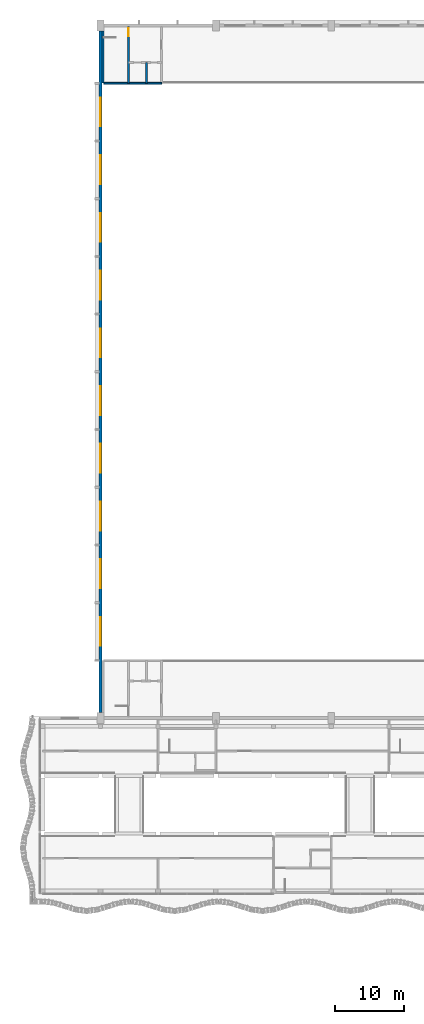
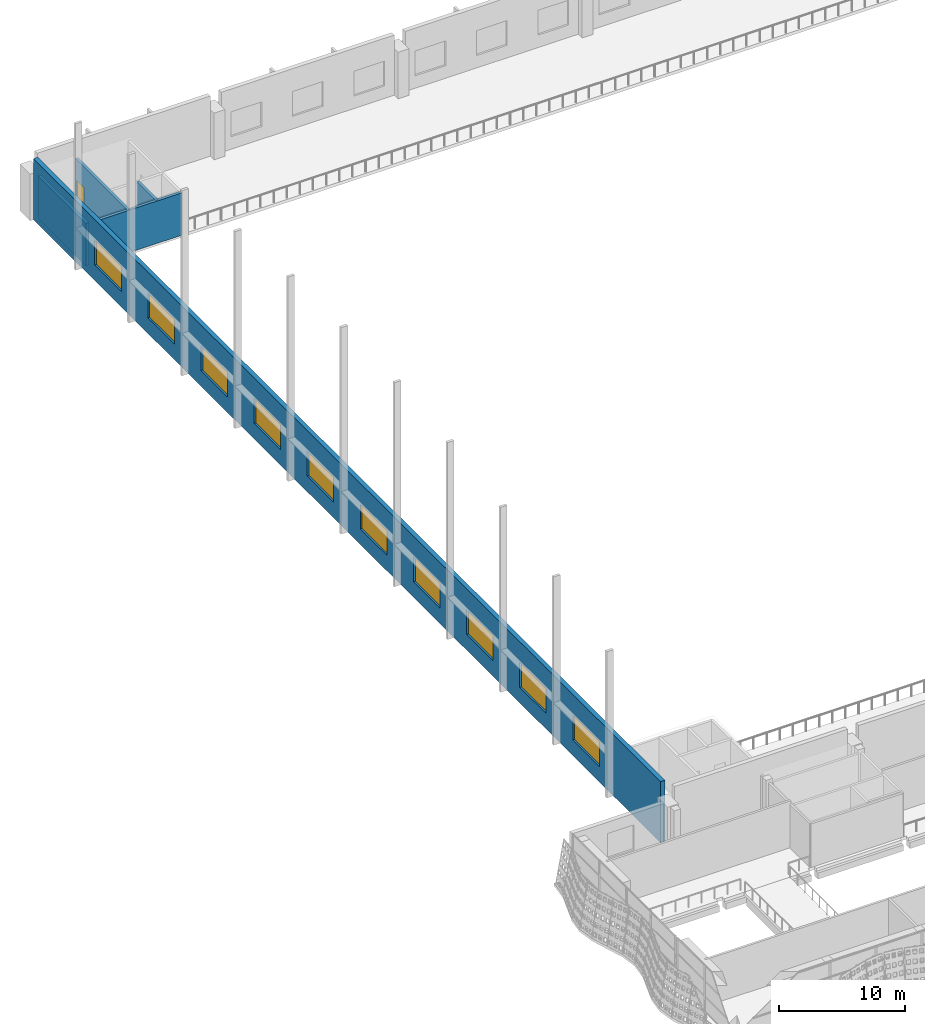
# One storey, part 91 of 162: 10 windows, 5 walls, 1 door, 11 openings.
"""IFC4 building model written with IfcOpenShell, lengths in metres."""

import ifcopenshell
import ifcopenshell.guid

model = None  # the IFC model being written
_history = None  # IfcOwnerHistory: only IFC2X3 demands one
_inside = {}  # id of a spatial element -> (the spatial element, [elements in it])
_under = {}  # id of a project, library or spatial element -> (it, [spatial elements below it])
_declared = {}  # id of a project -> (the project, [libraries it declares])
_typed = {}  # id of a type object -> (the type object, [elements of that type])
_made_of = {}  # id of a material, layer set ... -> (it, [elements and type objects made of it])


def new_model(schema):
    """Start an empty IFC model of exactly this schema.

    Asked for "IFC4X3", IfcOpenShell would pick the latest addendum, in which some entities
    have other attributes; the version numbers below select the first issue.
    IFC2X3 requires an IfcOwnerHistory on every rooted entity: one is made here for all.
    """
    global model, _history
    if schema == "IFC4X3":
        model = ifcopenshell.file(schema_version=(4, 3, 0, 0))
    else:
        model = ifcopenshell.file(schema=schema)
    _inside.clear()
    _under.clear()
    _declared.clear()
    _typed.clear()
    _made_of.clear()
    _history = None
    if model.schema == "IFC2X3":
        org = make("IfcOrganization", Name="unknown")
        user = make(
            "IfcPersonAndOrganization",
            ThePerson=make("IfcPerson", FamilyName="unknown"),
            TheOrganization=org,
        )
        app = make(
            "IfcApplication",
            ApplicationDeveloper=org,
            Version="unknown",
            ApplicationFullName="unknown",
            ApplicationIdentifier="unknown",
        )
        _history = make(
            "IfcOwnerHistory",
            OwningUser=user,
            OwningApplication=app,
            ChangeAction="ADDED",
            CreationDate=0,
        )
    return model


def make(cls, **values):
    """One entity of the class cls with the attributes given. An attribute that is None is left unset."""
    return model.create_entity(
        cls, **{name: value for name, value in values.items() if value is not None}
    )


def rooted(cls, **values):
    """An entity with a GlobalId (a new one), such as an element, a storey or a relation."""
    return make(cls, GlobalId=ifcopenshell.guid.new(), OwnerHistory=_history, **values)


def si_unit(unit_type, name, prefix=None):
    """IfcSIUnit, for example si_unit("LENGTHUNIT", "METRE", prefix="MILLI")."""
    return make("IfcSIUnit", UnitType=unit_type, Prefix=prefix, Name=name)


def assignment(units):
    """IfcUnitAssignment: the units of a project."""
    return None if units is None else make("IfcUnitAssignment", Units=units)


def point(xyz):
    """IfcCartesianPoint."""
    return None if xyz is None else make("IfcCartesianPoint", Coordinates=xyz)


def direction(xyz):
    """IfcDirection."""
    return None if xyz is None else make("IfcDirection", DirectionRatios=xyz)


def frame(location, z_axis=None, x_axis=None):
    """IfcAxis2Placement3D, a coordinate frame: its origin and axes. An axis left out is left unset."""
    return make(
        "IfcAxis2Placement3D",
        Location=point(location),
        Axis=direction(z_axis),
        RefDirection=direction(x_axis),
    )


def frame_2d(location, x_axis=None):
    """IfcAxis2Placement2D, a coordinate frame in the plane: its origin and x axis."""
    return make(
        "IfcAxis2Placement2D", Location=point(location), RefDirection=direction(x_axis)
    )


def origin():
    """The frame at (0, 0, 0) with its axes left unset."""
    return frame((0.0, 0.0, 0.0))


def place(relative_to, where):
    """IfcLocalPlacement: puts the frame where relative to a parent placement (None: the world)."""
    return make(
        "IfcLocalPlacement", PlacementRelTo=relative_to, RelativePlacement=where
    )


def context(
    kind, dimensions, precision=None, world=None, true_north=None, identifier=None
):
    """IfcGeometricRepresentationContext, for example the 3D "Model" context."""
    return make(
        "IfcGeometricRepresentationContext",
        ContextIdentifier=identifier,
        ContextType=kind,
        CoordinateSpaceDimension=dimensions,
        Precision=precision,
        WorldCoordinateSystem=world,
        TrueNorth=true_north,
    )


def subcontext(parent, identifier, kind, view, scale=None):
    """IfcGeometricRepresentationSubContext, for example "Body" below "Model"."""
    return make(
        "IfcGeometricRepresentationSubContext",
        ContextIdentifier=identifier,
        ContextType=kind,
        ParentContext=parent,
        TargetScale=scale,
        TargetView=view,
    )


def project(units=None, contexts=None):
    """IfcProject with its units and contexts."""
    return rooted(
        "IfcProject",
        Name="project",
        RepresentationContexts=contexts,
        UnitsInContext=assignment(units),
    )


def spatial(cls, under=None, at=None, **own):
    """A site, building, storey or space (cls), placed at a placement, below another one or the project."""
    s = rooted(cls, ObjectPlacement=at, **own)
    if under is not None:
        _under.setdefault(under.id(), (under, []))[1].append(s)
    return s


def profile(cls, at=None, kind="AREA", **sizes):
    """A parametric profile (cls). Its sizes go by their IFC names, for example OverallWidth=200.0."""
    return make(cls, ProfileType=kind, Position=at, **sizes)


def rectangle(**sizes):
    """IfcRectangleProfileDef."""
    return profile("IfcRectangleProfileDef", **sizes)


def extrude(swept, where, along, depth):
    """IfcExtrudedAreaSolid: the profile swept, set in the frame where, extruded along a direction by depth."""
    return make(
        "IfcExtrudedAreaSolid",
        SweptArea=swept,
        Position=where,
        ExtrudedDirection=direction(along),
        Depth=depth,
    )


def shape(context_of_items, identifier, shape_type, items):
    """IfcShapeRepresentation: the items that make up one representation, for example the "Body"."""
    return make(
        "IfcShapeRepresentation",
        ContextOfItems=context_of_items,
        RepresentationIdentifier=identifier,
        RepresentationType=shape_type,
        Items=items,
    )


def material(Name=None, Category=None):
    """IfcMaterial."""
    return make("IfcMaterial", Name=Name, Category=Category)


def layer(
    of_material, thickness, ventilated=None, Name=None, Category=None, Priority=None
):
    """IfcMaterialLayer: one layer of a wall or slab, of a material (None: an air gap)."""
    return make(
        "IfcMaterialLayer",
        Material=of_material,
        LayerThickness=thickness,
        IsVentilated=ventilated,
        Name=Name,
        Category=Category,
        Priority=Priority,
    )


def layer_set(layers, Name=None):
    """IfcMaterialLayerSet."""
    return make("IfcMaterialLayerSet", MaterialLayers=layers, LayerSetName=Name)


def made_of(thing, what):
    """Note that an element or type object is made of a material, layer set ...; save() writes the relation."""
    if what is not None:
        _made_of.setdefault(what.id(), (what, []))[1].append(thing)
    return thing


def type_object(cls, material=None, **own):
    """A type object (cls), such as IfcWallType, which elements share."""
    return made_of(rooted(cls, **own), material)


def element(
    cls,
    number,
    at=None,
    inside=None,
    cuts=None,
    type_object=None,
    material=None,
    context=None,
    identifier="Body",
    shape_type=None,
    held_by="IfcProductDefinitionShape",
    body=None,
    shapes=None,
    **own,
):
    """One element of the class cls, such as IfcWall. Its Tag is "e" and its number.

    at: its placement. inside: the storey or other place that contains it. cuts: it is an
    opening in that element (IfcRelVoidsElement). A single representation is given by context,
    identifier, shape_type and body (its items); several are given by shapes. held_by: the class
    of the entity that holds the representations. save() writes the other relations.
    """
    e = rooted(cls, Tag="e%d" % number, ObjectPlacement=at, **own)
    if body is not None:
        shapes = [shape(context, identifier, shape_type, body)]
    if shapes is not None:
        e.Representation = make(held_by, Representations=shapes)
    if inside is not None:
        _inside.setdefault(inside.id(), (inside, []))[1].append(e)
    if cuts is not None:
        rooted(
            "IfcRelVoidsElement", RelatingBuildingElement=cuts, RelatedOpeningElement=e
        )
    if type_object is not None:
        _typed.setdefault(type_object.id(), (type_object, []))[1].append(e)
    return made_of(e, material)


def fill(opening, filler):
    """IfcRelFillsElement: the door or window that sits in an opening."""
    return rooted(
        "IfcRelFillsElement",
        RelatingOpeningElement=opening,
        RelatedBuildingElement=filler,
    )


def aggregate(whole, parts):
    """IfcRelAggregates: a whole, such as a stair, and the parts it consists of."""
    return rooted("IfcRelAggregates", RelatingObject=whole, RelatedObjects=parts)


def save(model, path):
    """Write the relations noted so far, then the file.

    IfcRelAggregates (storeys below a building ...), IfcRelContainedInSpatialStructure (elements
    in a storey), IfcRelDefinesByType, IfcRelAssociatesMaterial and IfcRelDeclares: one each for
    every whole, place, type object, material and project.
    """
    for whole, parts in _under.values():
        aggregate(whole, parts)
    for where, things in _inside.values():
        rooted(
            "IfcRelContainedInSpatialStructure",
            RelatedElements=things,
            RelatingStructure=where,
        )
    for kind, things in _typed.values():
        rooted("IfcRelDefinesByType", RelatedObjects=things, RelatingType=kind)
    for what, things in _made_of.values():
        rooted("IfcRelAssociatesMaterial", RelatedObjects=things, RelatingMaterial=what)
    for by, libraries in _declared.values():
        rooted("IfcRelDeclares", RelatingContext=by, RelatedDefinitions=libraries)
    model.write(path)


model = new_model("IFC4")

# Units and contexts
model_context = context("Model", 3, precision=1e-05, world=origin(), true_north=direction((0.0, 1.0)))
body_context = subcontext(model_context, "Body", "Model", "MODEL_VIEW")
ifc_project = project(units=[si_unit("LENGTHUNIT", "METRE"), si_unit("AREAUNIT", "SQUARE_METRE"), si_unit("VOLUMEUNIT", "CUBIC_METRE"), si_unit("PLANEANGLEUNIT", "RADIAN"), si_unit("MASSUNIT", "GRAM", prefix="KILO")], contexts=[model_context])

# Site, building, storey
site_placement = place(None, origin())
site = spatial("IfcSite", under=ifc_project, at=site_placement, CompositionType="ELEMENT")
building_placement = place(site_placement, origin())
building = spatial("IfcBuilding", under=site, at=building_placement, Name="Rain Tree Exposition and Congress Centre", CompositionType="ELEMENT")
storey_placement = place(building_placement, frame((0.0, 0.0, 6.0)))
storey = spatial("IfcBuildingStorey", under=building, at=storey_placement, Name="L01", CompositionType="ELEMENT", Elevation=6.0)

# Wall
ifc_material_1 = material(Name="Concrete C40/50", Category="concrete")
ifc_layer_1 = layer(ifc_material_1, 0.300048828125)
ifc_layer_set_1 = layer_set([ifc_layer_1], Name="Concrete C40/50")
wall_type_1 = type_object("IfcWallType", Name="Core gable pier wall 300", PredefinedType="SHEAR", material=ifc_layer_set_1)
wall_1_placement = place(storey_placement, frame((8.75, 200.800048828125, 0.0), z_axis=(0.0, 0.0, 1.0), x_axis=(0.0, -1.0, 0.0)))
element("IfcWall", 1, at=wall_1_placement, inside=storey, type_object=wall_type_1, Name="Gable pier wall 3", PredefinedType="SHEAR", context=body_context, shape_type="SweptSolid", body=[
    extrude(rectangle(XDim=7.60009765625, YDim=0.300048828125, at=frame_2d((3.800048828125, 0.0))), origin(), (0.0, 0.0, 1.0), 4.10009765625),
])

# Wall, opening, door
ifc_material_2 = material(Name="Concrete C40/50", Category="concrete")
ifc_layer_2 = layer(ifc_material_2, 0.25)
ifc_layer_set_2 = layer_set([ifc_layer_2], Name="Concrete C40/50")
wall_type_2 = type_object("IfcWallType", Name="Core wall 250", PredefinedType="SHEAR", material=ifc_layer_set_2)
wall_2_placement = place(storey_placement, frame((12.5, 201.39990234375, 0.0), z_axis=(0.0, 0.0, 1.0), x_axis=(0.0, -1.0, 0.0)))
wall_2 = element("IfcWall", 2, at=wall_2_placement, inside=storey, type_object=wall_type_2, Name="Stair wall 3", PredefinedType="SHEAR", context=body_context, shape_type="SweptSolid", body=[
    extrude(rectangle(XDim=8.199951171875, YDim=0.25, at=frame_2d((4.10009765625, 0.0))), origin(), (0.0, 0.0, 1.0), 4.10009765625),
])
opening_1_placement = place(wall_2_placement, frame((0.199951171875, 0.0, 0.0)))
opening_1 = element("IfcOpeningElement", 3, at=opening_1_placement, cuts=wall_2, Name="Opening DH201", PredefinedType="OPENING", context=body_context, shape_type="SweptSolid", body=[
    extrude(rectangle(XDim=1.199951171875, YDim=2.10009765625, at=frame_2d((0.60009765625, 1.050048828125))), frame((0.0, 0.125, 0.0), z_axis=(0.0, -1.0, 0.0), x_axis=(1.0, 0.0, 0.0)), (0.0, 0.0, 1.0), 0.25),
])
ifc_material_3 = material(Name="Painted steel fire door", Category="steel")
door_type = type_object("IfcDoorType", Name="Stair fire door 1200x2100", OperationType="NOTDEFINED", PredefinedType="DOOR", material=ifc_material_3)
door_placement = place(opening_1_placement, origin())
door = element("IfcDoor", 4, at=door_placement, inside=storey, type_object=door_type, Name="Door DH201", OperationType="SINGLE_SWING_LEFT", OverallHeight=2.10009765625, OverallWidth=1.199951171875, PredefinedType="DOOR", context=body_context, shape_type="SweptSolid", body=[
    extrude(rectangle(XDim=1.199951171875, YDim=2.10009765625, at=frame_2d((0.60009765625, 1.050048828125))), frame((0.0, 0.02490234375, 0.0), z_axis=(0.0, -1.0, 0.0), x_axis=(1.0, 0.0, 0.0)), (0.0, 0.0, 1.0), 0.050048828125),
])
fill(opening_1, door)

# Walls
wall_3_placement = place(storey_placement, frame((8.89990234375, 193.199951171875, 0.0), z_axis=(0.0, 0.0, 1.0), x_axis=(1.0, 0.0, 0.0)))
element("IfcWall", 5, at=wall_3_placement, inside=storey, type_object=wall_type_2, Name="Core north wall 3", PredefinedType="SHEAR", context=body_context, shape_type="SweptSolid", body=[
    extrude(rectangle(XDim=8.400146484375, YDim=0.25, at=frame_2d((4.2001953125, 0.0))), origin(), (0.0, 0.0, 1.0), 4.10009765625),
])
wall_4_placement = place(storey_placement, frame((15.10009765625, 196.199951171875, 0.0), z_axis=(0.0, 0.0, 1.0), x_axis=(0.0, -1.0, 0.0)))
element("IfcWall", 6, at=wall_4_placement, inside=storey, type_object=wall_type_2, Name="Lift shaft wall 3", PredefinedType="SHEAR", context=body_context, shape_type="SweptSolid", body=[
    extrude(rectangle(XDim=3.0, YDim=0.25, at=frame_2d((1.5, 0.0))), origin(), (0.0, 0.0, 1.0), 4.10009765625),
])

# Wall, openings, windows
ifc_material_4 = material(Name="Precast concrete C50/60", Category="concrete")
ifc_layer_3 = layer(ifc_material_4, 0.39990234375)
ifc_layer_set_3 = layer_set([ifc_layer_3], Name="Precast concrete C50/60")
wall_type_3 = type_object("IfcWallType", Name="Hall gable precast wall 400", PredefinedType="SHEAR", material=ifc_layer_set_3)
wall_5_placement = place(storey_placement, frame((8.39990234375, 101.60009765625, 0.0), z_axis=(0.0, 0.0, 1.0), x_axis=(0.0, 1.0, 0.0)))
wall_5 = element("IfcWall", 7, at=wall_5_placement, inside=storey, type_object=wall_type_3, Name="Gable wall W", PredefinedType="SHEAR", context=body_context, shape_type="SweptSolid", body=[
    extrude(rectangle(XDim=99.199951171875, YDim=0.39990234375, at=frame_2d((49.60009765625, 0.0))), origin(), (0.0, 0.0, 1.0), 5.89990234375),
])
opening_2_placement = place(wall_5_placement, frame((9.699951171875, 0.0, 1.5)))
opening_2 = element("IfcOpeningElement", 8, at=opening_2_placement, cuts=wall_5, Name="Opening WH020", PredefinedType="OPENING", context=body_context, shape_type="SweptSolid", body=[
    extrude(rectangle(XDim=4.199951171875, YDim=2.39990234375, at=frame_2d((2.10009765625, 1.199951171875))), frame((0.0, 0.199951171875, 0.0), z_axis=(0.0, -1.0, 0.0), x_axis=(1.0, 0.0, 0.0)), (0.0, 0.0, 1.0), 0.39990234375),
])
opening_3_placement = place(wall_5_placement, frame((18.10009765625, 0.0, 1.5)))
opening_3 = element("IfcOpeningElement", 9, at=opening_3_placement, cuts=wall_5, Name="Opening WH021", PredefinedType="OPENING", context=body_context, shape_type="SweptSolid", body=[
    extrude(rectangle(XDim=4.199951171875, YDim=2.39990234375, at=frame_2d((2.10009765625, 1.199951171875))), frame((0.0, 0.199951171875, 0.0), z_axis=(0.0, -1.0, 0.0), x_axis=(1.0, 0.0, 0.0)), (0.0, 0.0, 1.0), 0.39990234375),
])
opening_4_placement = place(wall_5_placement, frame((26.5, 0.0, 1.5)))
opening_4 = element("IfcOpeningElement", 10, at=opening_4_placement, cuts=wall_5, Name="Opening WH022", PredefinedType="OPENING", context=body_context, shape_type="SweptSolid", body=[
    extrude(rectangle(XDim=4.199951171875, YDim=2.39990234375, at=frame_2d((2.10009765625, 1.199951171875))), frame((0.0, 0.199951171875, 0.0), z_axis=(0.0, -1.0, 0.0), x_axis=(1.0, 0.0, 0.0)), (0.0, 0.0, 1.0), 0.39990234375),
])
opening_5_placement = place(wall_5_placement, frame((34.89990234375, 0.0, 1.5)))
opening_5 = element("IfcOpeningElement", 11, at=opening_5_placement, cuts=wall_5, Name="Opening WH023", PredefinedType="OPENING", context=body_context, shape_type="SweptSolid", body=[
    extrude(rectangle(XDim=4.199951171875, YDim=2.39990234375, at=frame_2d((2.10009765625, 1.199951171875))), frame((0.0, 0.199951171875, 0.0), z_axis=(0.0, -1.0, 0.0), x_axis=(1.0, 0.0, 0.0)), (0.0, 0.0, 1.0), 0.39990234375),
])
opening_6_placement = place(wall_5_placement, frame((43.300048828125, 0.0, 1.5)))
opening_6 = element("IfcOpeningElement", 12, at=opening_6_placement, cuts=wall_5, Name="Opening WH024", PredefinedType="OPENING", context=body_context, shape_type="SweptSolid", body=[
    extrude(rectangle(XDim=4.199951171875, YDim=2.39990234375, at=frame_2d((2.10009765625, 1.199951171875))), frame((0.0, 0.199951171875, 0.0), z_axis=(0.0, -1.0, 0.0), x_axis=(1.0, 0.0, 0.0)), (0.0, 0.0, 1.0), 0.39990234375),
])
opening_7_placement = place(wall_5_placement, frame((51.699951171875, 0.0, 1.5)))
opening_7 = element("IfcOpeningElement", 13, at=opening_7_placement, cuts=wall_5, Name="Opening WH025", PredefinedType="OPENING", context=body_context, shape_type="SweptSolid", body=[
    extrude(rectangle(XDim=4.199951171875, YDim=2.39990234375, at=frame_2d((2.10009765625, 1.199951171875))), frame((0.0, 0.199951171875, 0.0), z_axis=(0.0, -1.0, 0.0), x_axis=(1.0, 0.0, 0.0)), (0.0, 0.0, 1.0), 0.39990234375),
])
opening_8_placement = place(wall_5_placement, frame((60.10009765625, 0.0, 1.5)))
opening_8 = element("IfcOpeningElement", 14, at=opening_8_placement, cuts=wall_5, Name="Opening WH026", PredefinedType="OPENING", context=body_context, shape_type="SweptSolid", body=[
    extrude(rectangle(XDim=4.199951171875, YDim=2.39990234375, at=frame_2d((2.10009765625, 1.199951171875))), frame((0.0, 0.199951171875, 0.0), z_axis=(0.0, -1.0, 0.0), x_axis=(1.0, 0.0, 0.0)), (0.0, 0.0, 1.0), 0.39990234375),
])
opening_9_placement = place(wall_5_placement, frame((68.5, 0.0, 1.5)))
opening_9 = element("IfcOpeningElement", 15, at=opening_9_placement, cuts=wall_5, Name="Opening WH027", PredefinedType="OPENING", context=body_context, shape_type="SweptSolid", body=[
    extrude(rectangle(XDim=4.199951171875, YDim=2.39990234375, at=frame_2d((2.10009765625, 1.199951171875))), frame((0.0, 0.199951171875, 0.0), z_axis=(0.0, -1.0, 0.0), x_axis=(1.0, 0.0, 0.0)), (0.0, 0.0, 1.0), 0.39990234375),
])
opening_10_placement = place(wall_5_placement, frame((76.89990234375, 0.0, 1.5)))
opening_10 = element("IfcOpeningElement", 16, at=opening_10_placement, cuts=wall_5, Name="Opening WH028", PredefinedType="OPENING", context=body_context, shape_type="SweptSolid", body=[
    extrude(rectangle(XDim=4.199951171875, YDim=2.39990234375, at=frame_2d((2.10009765625, 1.199951171875))), frame((0.0, 0.199951171875, 0.0), z_axis=(0.0, -1.0, 0.0), x_axis=(1.0, 0.0, 0.0)), (0.0, 0.0, 1.0), 0.39990234375),
])
opening_11_placement = place(wall_5_placement, frame((85.300048828125, 0.0, 1.5)))
opening_11 = element("IfcOpeningElement", 17, at=opening_11_placement, cuts=wall_5, Name="Opening WH029", PredefinedType="OPENING", context=body_context, shape_type="SweptSolid", body=[
    extrude(rectangle(XDim=4.199951171875, YDim=2.39990234375, at=frame_2d((2.10009765625, 1.199951171875))), frame((0.0, 0.199951171875, 0.0), z_axis=(0.0, -1.0, 0.0), x_axis=(1.0, 0.0, 0.0)), (0.0, 0.0, 1.0), 0.39990234375),
])
ifc_material_5 = material(Name="Aluminium framed glazing", Category="aluminium")
window_type = type_object("IfcWindowType", Name="Hall gable window 4200x2400", PartitioningType="SINGLE_PANEL", PredefinedType="WINDOW", material=ifc_material_5)
window_1_placement = place(opening_2_placement, origin())
window_1 = element("IfcWindow", 18, at=window_1_placement, inside=storey, type_object=window_type, Name="Window WH020", OverallHeight=2.39990234375, OverallWidth=4.199951171875, PartitioningType="SINGLE_PANEL", PredefinedType="WINDOW", context=body_context, shape_type="SweptSolid", body=[
    extrude(rectangle(XDim=4.199951171875, YDim=2.39990234375, at=frame_2d((2.10009765625, 1.199951171875))), frame((0.0, 0.030029296875, 0.0), z_axis=(0.0, -1.0, 0.0), x_axis=(1.0, 0.0, 0.0)), (0.0, 0.0, 1.0), 0.06005859375),
])
fill(opening_2, window_1)
window_2_placement = place(opening_3_placement, origin())
window_2 = element("IfcWindow", 19, at=window_2_placement, inside=storey, type_object=window_type, Name="Window WH021", OverallHeight=2.39990234375, OverallWidth=4.199951171875, PartitioningType="SINGLE_PANEL", PredefinedType="WINDOW", context=body_context, shape_type="SweptSolid", body=[
    extrude(rectangle(XDim=4.199951171875, YDim=2.39990234375, at=frame_2d((2.10009765625, 1.199951171875))), frame((0.0, 0.030029296875, 0.0), z_axis=(0.0, -1.0, 0.0), x_axis=(1.0, 0.0, 0.0)), (0.0, 0.0, 1.0), 0.06005859375),
])
fill(opening_3, window_2)
window_3_placement = place(opening_4_placement, origin())
window_3 = element("IfcWindow", 20, at=window_3_placement, inside=storey, type_object=window_type, Name="Window WH022", OverallHeight=2.39990234375, OverallWidth=4.199951171875, PartitioningType="SINGLE_PANEL", PredefinedType="WINDOW", context=body_context, shape_type="SweptSolid", body=[
    extrude(rectangle(XDim=4.199951171875, YDim=2.39990234375, at=frame_2d((2.10009765625, 1.199951171875))), frame((0.0, 0.030029296875, 0.0), z_axis=(0.0, -1.0, 0.0), x_axis=(1.0, 0.0, 0.0)), (0.0, 0.0, 1.0), 0.06005859375),
])
fill(opening_4, window_3)
window_4_placement = place(opening_5_placement, origin())
window_4 = element("IfcWindow", 21, at=window_4_placement, inside=storey, type_object=window_type, Name="Window WH023", OverallHeight=2.39990234375, OverallWidth=4.199951171875, PartitioningType="SINGLE_PANEL", PredefinedType="WINDOW", context=body_context, shape_type="SweptSolid", body=[
    extrude(rectangle(XDim=4.199951171875, YDim=2.39990234375, at=frame_2d((2.10009765625, 1.199951171875))), frame((0.0, 0.030029296875, 0.0), z_axis=(0.0, -1.0, 0.0), x_axis=(1.0, 0.0, 0.0)), (0.0, 0.0, 1.0), 0.06005859375),
])
fill(opening_5, window_4)
window_5_placement = place(opening_6_placement, origin())
window_5 = element("IfcWindow", 22, at=window_5_placement, inside=storey, type_object=window_type, Name="Window WH024", OverallHeight=2.39990234375, OverallWidth=4.199951171875, PartitioningType="SINGLE_PANEL", PredefinedType="WINDOW", context=body_context, shape_type="SweptSolid", body=[
    extrude(rectangle(XDim=4.199951171875, YDim=2.39990234375, at=frame_2d((2.10009765625, 1.199951171875))), frame((0.0, 0.030029296875, 0.0), z_axis=(0.0, -1.0, 0.0), x_axis=(1.0, 0.0, 0.0)), (0.0, 0.0, 1.0), 0.06005859375),
])
fill(opening_6, window_5)
window_6_placement = place(opening_7_placement, origin())
window_6 = element("IfcWindow", 23, at=window_6_placement, inside=storey, type_object=window_type, Name="Window WH025", OverallHeight=2.39990234375, OverallWidth=4.199951171875, PartitioningType="SINGLE_PANEL", PredefinedType="WINDOW", context=body_context, shape_type="SweptSolid", body=[
    extrude(rectangle(XDim=4.199951171875, YDim=2.39990234375, at=frame_2d((2.10009765625, 1.199951171875))), frame((0.0, 0.030029296875, 0.0), z_axis=(0.0, -1.0, 0.0), x_axis=(1.0, 0.0, 0.0)), (0.0, 0.0, 1.0), 0.06005859375),
])
fill(opening_7, window_6)
window_7_placement = place(opening_8_placement, origin())
window_7 = element("IfcWindow", 24, at=window_7_placement, inside=storey, type_object=window_type, Name="Window WH026", OverallHeight=2.39990234375, OverallWidth=4.199951171875, PartitioningType="SINGLE_PANEL", PredefinedType="WINDOW", context=body_context, shape_type="SweptSolid", body=[
    extrude(rectangle(XDim=4.199951171875, YDim=2.39990234375, at=frame_2d((2.10009765625, 1.199951171875))), frame((0.0, 0.030029296875, 0.0), z_axis=(0.0, -1.0, 0.0), x_axis=(1.0, 0.0, 0.0)), (0.0, 0.0, 1.0), 0.06005859375),
])
fill(opening_8, window_7)
window_8_placement = place(opening_9_placement, origin())
window_8 = element("IfcWindow", 25, at=window_8_placement, inside=storey, type_object=window_type, Name="Window WH027", OverallHeight=2.39990234375, OverallWidth=4.199951171875, PartitioningType="SINGLE_PANEL", PredefinedType="WINDOW", context=body_context, shape_type="SweptSolid", body=[
    extrude(rectangle(XDim=4.199951171875, YDim=2.39990234375, at=frame_2d((2.10009765625, 1.199951171875))), frame((0.0, 0.030029296875, 0.0), z_axis=(0.0, -1.0, 0.0), x_axis=(1.0, 0.0, 0.0)), (0.0, 0.0, 1.0), 0.06005859375),
])
fill(opening_9, window_8)
window_9_placement = place(opening_10_placement, origin())
window_9 = element("IfcWindow", 26, at=window_9_placement, inside=storey, type_object=window_type, Name="Window WH028", OverallHeight=2.39990234375, OverallWidth=4.199951171875, PartitioningType="SINGLE_PANEL", PredefinedType="WINDOW", context=body_context, shape_type="SweptSolid", body=[
    extrude(rectangle(XDim=4.199951171875, YDim=2.39990234375, at=frame_2d((2.10009765625, 1.199951171875))), frame((0.0, 0.030029296875, 0.0), z_axis=(0.0, -1.0, 0.0), x_axis=(1.0, 0.0, 0.0)), (0.0, 0.0, 1.0), 0.06005859375),
])
fill(opening_10, window_9)
window_10_placement = place(opening_11_placement, origin())
window_10 = element("IfcWindow", 27, at=window_10_placement, inside=storey, type_object=window_type, Name="Window WH029", OverallHeight=2.39990234375, OverallWidth=4.199951171875, PartitioningType="SINGLE_PANEL", PredefinedType="WINDOW", context=body_context, shape_type="SweptSolid", body=[
    extrude(rectangle(XDim=4.199951171875, YDim=2.39990234375, at=frame_2d((2.10009765625, 1.199951171875))), frame((0.0, 0.030029296875, 0.0), z_axis=(0.0, -1.0, 0.0), x_axis=(1.0, 0.0, 0.0)), (0.0, 0.0, 1.0), 0.06005859375),
])
fill(opening_11, window_10)

save(model, "model.ifc")
